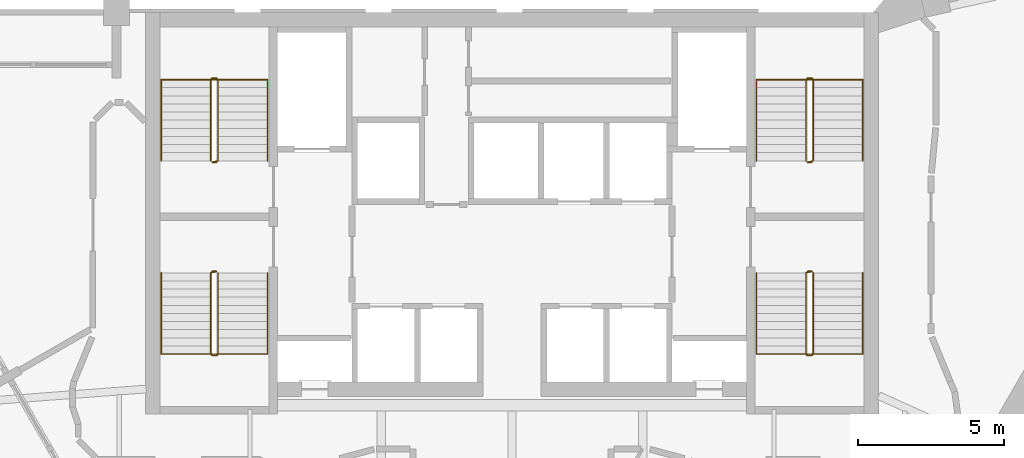
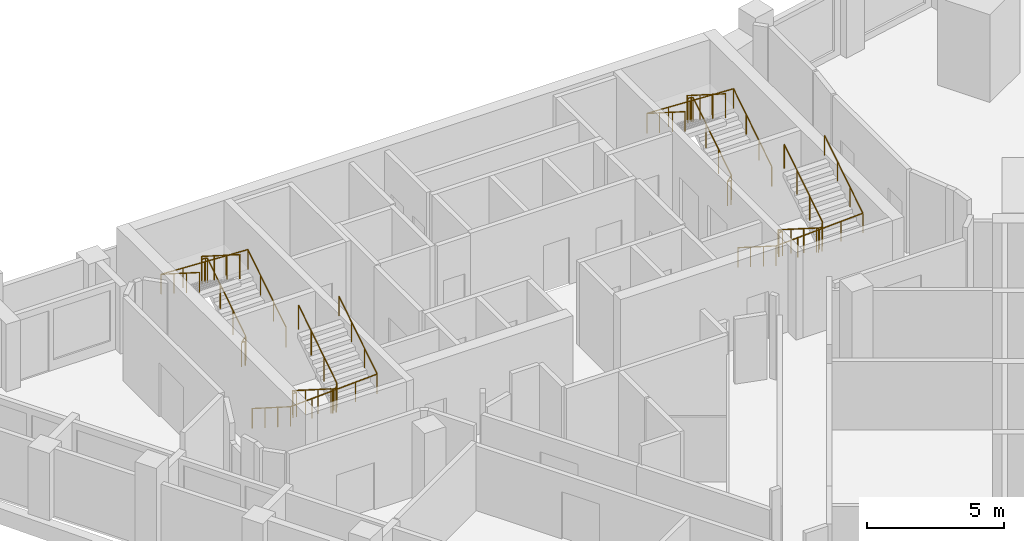
# One storey, part 8 of 8: 8 railings.
"""IFC4 building model written with IfcOpenShell, lengths in metres."""

from ifc_helpers import new_model, si_unit, direction, frame, origin, origin_2d, place, context, subcontext, project, spatial, circle, extrude, material, type_object, element, save


model = new_model("IFC4")

# Units and contexts
model_context = context("Model", 3, precision=1e-05, world=origin(), true_north=direction((0.0, 1.0)))
body_context = subcontext(model_context, "Body", "Model", "MODEL_VIEW")
ifc_project = project(units=[si_unit("LENGTHUNIT", "METRE"), si_unit("AREAUNIT", "SQUARE_METRE"), si_unit("VOLUMEUNIT", "CUBIC_METRE"), si_unit("PLANEANGLEUNIT", "RADIAN"), si_unit("MASSUNIT", "GRAM", prefix="KILO")], contexts=[model_context])

# Site, building, storey
site_placement = place(None, origin())
site = spatial("IfcSite", under=ifc_project, at=site_placement, CompositionType="ELEMENT")
building_placement = place(site_placement, origin())
building = spatial("IfcBuilding", under=site, at=building_placement, Name="Calabash Gate Tower", CompositionType="ELEMENT")
storey_placement = place(building_placement, frame((0.0, 0.0, 263.800048828125)))
storey = spatial("IfcBuildingStorey", under=building, at=storey_placement, Name="L63", CompositionType="ELEMENT", Elevation=263.800048828125)

# Railings
ifc_material_1 = material(Name="Black powder-coated steel balusters", Category="steel")
railing_type_1 = type_object("IfcRailingType", Name="Stair guard RL1100", PredefinedType="GUARDRAIL", material=ifc_material_1)
railing_1_placement = place(storey_placement, frame((-10.14990234375, 13.902587890625, 0.0)))
element("IfcRailing", 1, at=railing_1_placement, inside=storey, type_object=railing_type_1, Name="L63 ST1 stair guard 1", PredefinedType="GUARDRAIL", context=body_context, shape_type="SweptSolid", body=[
    extrude(circle(Radius=0.02392578125, at=origin_2d()), frame((0.0, 0.0, 1.076171875), z_axis=(-1.0, 0.0, 0.0), x_axis=(0.0, -1.0, 0.0)), (0.0, 0.0, 1.0), 0.150146484375),
    extrude(circle(Radius=0.02392578125, at=origin_2d()), frame((-0.150146484375, 0.0, 1.076171875), z_axis=(0.735524641326, 0.184105679453, 0.652003528208), x_axis=(-0.242814311512, 0.970072785993, 0.0)), (0.0, 0.0, 1.0), 0.271728515625),
    extrude(circle(Radius=0.02392578125, at=origin_2d()), frame((0.0498046875, 0.050048828125, 1.25341796875), z_axis=(0.0, 0.844041424197, 0.536277982245), x_axis=(-1.0, 0.0, 0.0)), (0.0, 0.0, 1.0), 3.3056640625),
    extrude(circle(Radius=0.02392578125, at=origin_2d()), frame((0.0498046875, 2.840087890625, 3.02587890625), z_axis=(-0.707106781187, 0.707106781187, 0.0), x_axis=(-0.707106781187, -0.707106781187, 0.0)), (0.0, 0.0, 1.0), 0.0703125),
    extrude(circle(Radius=0.02392578125, at=origin_2d()), frame((0.0, 2.889892578125, 3.02587890625), z_axis=(-1.0, 0.0, 0.0), x_axis=(0.0, -1.0, 0.0)), (0.0, 0.0, 1.0), 0.150146484375),
    extrude(circle(Radius=0.02392578125, at=origin_2d()), frame((-0.150146484375, 2.889892578125, 3.02587890625), z_axis=(-0.262321481514, -0.261041864531, 0.929001929653), x_axis=(0.705375805398, -0.708833529934, 0.0)), (0.0, 0.0, 1.0), 0.190673828125),
    extrude(circle(Radius=0.02392578125, at=origin_2d()), frame((-0.2001953125, 2.840087890625, 3.203125), z_axis=(0.0, -0.844041424197, 0.536277982245), x_axis=(1.0, 0.0, 0.0)), (0.0, 0.0, 1.0), 3.3056640625),
    extrude(circle(Radius=0.02099609375, at=origin_2d()), origin(), (0.0, 0.0, 1.0), 1.052001953125),
    extrude(circle(Radius=0.02099609375, at=origin_2d()), frame((-0.150146484375, 0.0, 0.0)), (0.0, 0.0, 1.0), 1.052001953125),
    extrude(circle(Radius=0.02099609375, at=origin_2d()), frame((0.0498046875, 0.050048828125, 0.17724609375)), (0.0, 0.0, 1.0), 1.052001953125),
    extrude(circle(Radius=0.02099609375, at=origin_2d()), frame((0.0498046875, 0.97998046875, 0.76806640625)), (0.0, 0.0, 1.0), 1.052001953125),
    extrude(circle(Radius=0.02099609375, at=origin_2d()), frame((0.0498046875, 1.91015625, 1.359130859375)), (0.0, 0.0, 1.0), 1.052001953125),
    extrude(circle(Radius=0.02099609375, at=origin_2d()), frame((0.0498046875, 2.840087890625, 1.949951171875)), (0.0, 0.0, 1.0), 1.052001953125),
    extrude(circle(Radius=0.02099609375, at=origin_2d()), frame((0.0, 2.889892578125, 1.949951171875)), (0.0, 0.0, 1.0), 1.052001953125),
    extrude(circle(Radius=0.02099609375, at=origin_2d()), frame((-0.150146484375, 2.889892578125, 1.949951171875)), (0.0, 0.0, 1.0), 1.052001953125),
    extrude(circle(Radius=0.02099609375, at=origin_2d()), frame((-0.2001953125, 2.840087890625, 2.127197265625)), (0.0, 0.0, 1.0), 1.052001953125),
    extrude(circle(Radius=0.02099609375, at=origin_2d()), frame((-0.2001953125, 1.91015625, 2.718017578125)), (0.0, 0.0, 1.0), 1.052001953125),
    extrude(circle(Radius=0.02099609375, at=origin_2d()), frame((-0.2001953125, 0.97998046875, 3.30908203125)), (0.0, 0.0, 1.0), 1.052001953125),
    extrude(circle(Radius=0.02099609375, at=origin_2d()), frame((-0.2001953125, 0.050048828125, 3.89990234375)), (0.0, 0.0, 1.0), 1.052001953125),
])
railing_2_placement = place(storey_placement, frame((-10.300048828125, 10.152587890625, 0.0)))
element("IfcRailing", 2, at=railing_2_placement, inside=storey, type_object=railing_type_1, Name="L63 ST2 stair guard 1", PredefinedType="GUARDRAIL", context=body_context, shape_type="SweptSolid", body=[
    extrude(circle(Radius=0.02392578125, at=origin_2d()), frame((0.0, 0.0, 1.076171875), z_axis=(1.0, 0.0, 0.0), x_axis=(0.0, 1.0, 0.0)), (0.0, 0.0, 1.0), 0.150146484375),
    extrude(circle(Radius=0.02392578125, at=origin_2d()), frame((0.150146484375, 0.0, 1.076171875), z_axis=(-0.735936453418, -0.183984113355, 0.651573006319), x_axis=(0.242535625036, -0.970142500145, 0.0)), (0.0, 0.0, 1.0), 0.27197265625),
    extrude(circle(Radius=0.02392578125, at=origin_2d()), frame((-0.050048828125, -0.050048828125, 1.25341796875), z_axis=(0.0, -0.844041424197, 0.536277982245), x_axis=(1.0, 0.0, 0.0)), (0.0, 0.0, 1.0), 3.3056640625),
    extrude(circle(Radius=0.02392578125, at=origin_2d()), frame((-0.050048828125, -2.840087890625, 3.02587890625), z_axis=(0.708833529934, -0.705375805398, 0.0), x_axis=(0.705375805398, 0.708833529934, 0.0)), (0.0, 0.0, 1.0), 0.070556640625),
    extrude(circle(Radius=0.02392578125, at=origin_2d()), frame((0.0, -2.889892578125, 3.02587890625), z_axis=(1.0, 0.0, 0.0), x_axis=(0.0, 1.0, 0.0)), (0.0, 0.0, 1.0), 0.150146484375),
    extrude(circle(Radius=0.02392578125, at=origin_2d()), frame((0.150146484375, -2.889892578125, 3.02587890625), z_axis=(0.261129318932, 0.261129318932, 0.929313164433), x_axis=(-0.707106781187, 0.707106781187, 0.0)), (0.0, 0.0, 1.0), 0.190673828125),
    extrude(circle(Radius=0.02392578125, at=origin_2d()), frame((0.199951171875, -2.840087890625, 3.203125), z_axis=(0.0, 0.844041424197, 0.536277982245), x_axis=(-1.0, 0.0, 0.0)), (0.0, 0.0, 1.0), 3.3056640625),
    extrude(circle(Radius=0.02099609375, at=origin_2d()), origin(), (0.0, 0.0, 1.0), 1.052001953125),
    extrude(circle(Radius=0.02099609375, at=origin_2d()), frame((0.150146484375, 0.0, 0.0)), (0.0, 0.0, 1.0), 1.052001953125),
    extrude(circle(Radius=0.02099609375, at=origin_2d()), frame((-0.050048828125, -0.050048828125, 0.17724609375)), (0.0, 0.0, 1.0), 1.052001953125),
    extrude(circle(Radius=0.02099609375, at=origin_2d()), frame((-0.050048828125, -0.97998046875, 0.76806640625)), (0.0, 0.0, 1.0), 1.052001953125),
    extrude(circle(Radius=0.02099609375, at=origin_2d()), frame((-0.050048828125, -1.91015625, 1.359130859375)), (0.0, 0.0, 1.0), 1.052001953125),
    extrude(circle(Radius=0.02099609375, at=origin_2d()), frame((-0.050048828125, -2.840087890625, 1.949951171875)), (0.0, 0.0, 1.0), 1.052001953125),
    extrude(circle(Radius=0.02099609375, at=origin_2d()), frame((0.0, -2.889892578125, 1.949951171875)), (0.0, 0.0, 1.0), 1.052001953125),
    extrude(circle(Radius=0.02099609375, at=origin_2d()), frame((0.150146484375, -2.889892578125, 1.949951171875)), (0.0, 0.0, 1.0), 1.052001953125),
    extrude(circle(Radius=0.02099609375, at=origin_2d()), frame((0.199951171875, -2.840087890625, 2.127197265625)), (0.0, 0.0, 1.0), 1.052001953125),
    extrude(circle(Radius=0.02099609375, at=origin_2d()), frame((0.199951171875, -1.91015625, 2.718017578125)), (0.0, 0.0, 1.0), 1.052001953125),
    extrude(circle(Radius=0.02099609375, at=origin_2d()), frame((0.199951171875, -0.97998046875, 3.30908203125)), (0.0, 0.0, 1.0), 1.052001953125),
    extrude(circle(Radius=0.02099609375, at=origin_2d()), frame((0.199951171875, -0.050048828125, 3.89990234375)), (0.0, 0.0, 1.0), 1.052001953125),
])
railing_3_placement = place(storey_placement, frame((10.300048828125, 13.902587890625, 0.0)))
element("IfcRailing", 3, at=railing_3_placement, inside=storey, type_object=railing_type_1, Name="L63 ST3 stair guard 1", PredefinedType="GUARDRAIL", context=body_context, shape_type="SweptSolid", body=[
    extrude(circle(Radius=0.02392578125, at=origin_2d()), frame((0.0, 0.0, 1.076171875), z_axis=(-1.0, 0.0, 0.0), x_axis=(0.0, -1.0, 0.0)), (0.0, 0.0, 1.0), 0.150146484375),
    extrude(circle(Radius=0.02392578125, at=origin_2d()), frame((-0.150146484375, 0.0, 1.076171875), z_axis=(0.735936453418, 0.183984113355, 0.651573006319), x_axis=(-0.242535625036, 0.970142500145, 0.0)), (0.0, 0.0, 1.0), 0.27197265625),
    extrude(circle(Radius=0.02392578125, at=origin_2d()), frame((0.050048828125, 0.050048828125, 1.25341796875), z_axis=(0.0, 0.844041424197, 0.536277982245), x_axis=(-1.0, 0.0, 0.0)), (0.0, 0.0, 1.0), 3.3056640625),
    extrude(circle(Radius=0.02392578125, at=origin_2d()), frame((0.050048828125, 2.840087890625, 3.02587890625), z_axis=(-0.708833529934, 0.705375805398, 0.0), x_axis=(-0.705375805398, -0.708833529934, 0.0)), (0.0, 0.0, 1.0), 0.070556640625),
    extrude(circle(Radius=0.02392578125, at=origin_2d()), frame((0.0, 2.889892578125, 3.02587890625), z_axis=(-1.0, 0.0, 0.0), x_axis=(0.0, -1.0, 0.0)), (0.0, 0.0, 1.0), 0.150146484375),
    extrude(circle(Radius=0.02392578125, at=origin_2d()), frame((-0.150146484375, 2.889892578125, 3.02587890625), z_axis=(-0.261129318932, -0.261129318932, 0.929313164433), x_axis=(0.707106781187, -0.707106781187, 0.0)), (0.0, 0.0, 1.0), 0.190673828125),
    extrude(circle(Radius=0.02392578125, at=origin_2d()), frame((-0.199951171875, 2.840087890625, 3.203125), z_axis=(0.0, -0.844041424197, 0.536277982245), x_axis=(1.0, 0.0, 0.0)), (0.0, 0.0, 1.0), 3.3056640625),
    extrude(circle(Radius=0.02099609375, at=origin_2d()), origin(), (0.0, 0.0, 1.0), 1.052001953125),
    extrude(circle(Radius=0.02099609375, at=origin_2d()), frame((-0.150146484375, 0.0, 0.0)), (0.0, 0.0, 1.0), 1.052001953125),
    extrude(circle(Radius=0.02099609375, at=origin_2d()), frame((0.050048828125, 0.050048828125, 0.17724609375)), (0.0, 0.0, 1.0), 1.052001953125),
    extrude(circle(Radius=0.02099609375, at=origin_2d()), frame((0.050048828125, 0.97998046875, 0.76806640625)), (0.0, 0.0, 1.0), 1.052001953125),
    extrude(circle(Radius=0.02099609375, at=origin_2d()), frame((0.050048828125, 1.91015625, 1.359130859375)), (0.0, 0.0, 1.0), 1.052001953125),
    extrude(circle(Radius=0.02099609375, at=origin_2d()), frame((0.050048828125, 2.840087890625, 1.949951171875)), (0.0, 0.0, 1.0), 1.052001953125),
    extrude(circle(Radius=0.02099609375, at=origin_2d()), frame((0.0, 2.889892578125, 1.949951171875)), (0.0, 0.0, 1.0), 1.052001953125),
    extrude(circle(Radius=0.02099609375, at=origin_2d()), frame((-0.150146484375, 2.889892578125, 1.949951171875)), (0.0, 0.0, 1.0), 1.052001953125),
    extrude(circle(Radius=0.02099609375, at=origin_2d()), frame((-0.199951171875, 2.840087890625, 2.127197265625)), (0.0, 0.0, 1.0), 1.052001953125),
    extrude(circle(Radius=0.02099609375, at=origin_2d()), frame((-0.199951171875, 1.91015625, 2.718017578125)), (0.0, 0.0, 1.0), 1.052001953125),
    extrude(circle(Radius=0.02099609375, at=origin_2d()), frame((-0.199951171875, 0.97998046875, 3.30908203125)), (0.0, 0.0, 1.0), 1.052001953125),
    extrude(circle(Radius=0.02099609375, at=origin_2d()), frame((-0.199951171875, 0.050048828125, 3.89990234375)), (0.0, 0.0, 1.0), 1.052001953125),
])
railing_4_placement = place(storey_placement, frame((10.14990234375, 10.152587890625, 0.0)))
element("IfcRailing", 4, at=railing_4_placement, inside=storey, type_object=railing_type_1, Name="L63 ST4 stair guard 1", PredefinedType="GUARDRAIL", context=body_context, shape_type="SweptSolid", body=[
    extrude(circle(Radius=0.02392578125, at=origin_2d()), frame((0.0, 0.0, 1.076171875), z_axis=(1.0, 0.0, 0.0), x_axis=(0.0, 1.0, 0.0)), (0.0, 0.0, 1.0), 0.150146484375),
    extrude(circle(Radius=0.02392578125, at=origin_2d()), frame((0.150146484375, 0.0, 1.076171875), z_axis=(-0.735524641326, -0.184105679453, 0.652003528208), x_axis=(0.242814311512, -0.970072785993, 0.0)), (0.0, 0.0, 1.0), 0.271728515625),
    extrude(circle(Radius=0.02392578125, at=origin_2d()), frame((-0.0498046875, -0.050048828125, 1.25341796875), z_axis=(0.0, -0.844041424197, 0.536277982245), x_axis=(1.0, 0.0, 0.0)), (0.0, 0.0, 1.0), 3.3056640625),
    extrude(circle(Radius=0.02392578125, at=origin_2d()), frame((-0.0498046875, -2.840087890625, 3.02587890625), z_axis=(0.707106781187, -0.707106781187, 0.0), x_axis=(0.707106781187, 0.707106781187, 0.0)), (0.0, 0.0, 1.0), 0.0703125),
    extrude(circle(Radius=0.02392578125, at=origin_2d()), frame((0.0, -2.889892578125, 3.02587890625), z_axis=(1.0, 0.0, 0.0), x_axis=(0.0, 1.0, 0.0)), (0.0, 0.0, 1.0), 0.150146484375),
    extrude(circle(Radius=0.02392578125, at=origin_2d()), frame((0.150146484375, -2.889892578125, 3.02587890625), z_axis=(0.262321481514, 0.261041864531, 0.929001929653), x_axis=(-0.705375805398, 0.708833529934, 0.0)), (0.0, 0.0, 1.0), 0.190673828125),
    extrude(circle(Radius=0.02392578125, at=origin_2d()), frame((0.2001953125, -2.840087890625, 3.203125), z_axis=(0.0, 0.844041424197, 0.536277982245), x_axis=(-1.0, 0.0, 0.0)), (0.0, 0.0, 1.0), 3.3056640625),
    extrude(circle(Radius=0.02099609375, at=origin_2d()), origin(), (0.0, 0.0, 1.0), 1.052001953125),
    extrude(circle(Radius=0.02099609375, at=origin_2d()), frame((0.150146484375, 0.0, 0.0)), (0.0, 0.0, 1.0), 1.052001953125),
    extrude(circle(Radius=0.02099609375, at=origin_2d()), frame((-0.0498046875, -0.050048828125, 0.17724609375)), (0.0, 0.0, 1.0), 1.052001953125),
    extrude(circle(Radius=0.02099609375, at=origin_2d()), frame((-0.0498046875, -0.97998046875, 0.76806640625)), (0.0, 0.0, 1.0), 1.052001953125),
    extrude(circle(Radius=0.02099609375, at=origin_2d()), frame((-0.0498046875, -1.91015625, 1.359130859375)), (0.0, 0.0, 1.0), 1.052001953125),
    extrude(circle(Radius=0.02099609375, at=origin_2d()), frame((-0.0498046875, -2.840087890625, 1.949951171875)), (0.0, 0.0, 1.0), 1.052001953125),
    extrude(circle(Radius=0.02099609375, at=origin_2d()), frame((0.0, -2.889892578125, 1.949951171875)), (0.0, 0.0, 1.0), 1.052001953125),
    extrude(circle(Radius=0.02099609375, at=origin_2d()), frame((0.150146484375, -2.889892578125, 1.949951171875)), (0.0, 0.0, 1.0), 1.052001953125),
    extrude(circle(Radius=0.02099609375, at=origin_2d()), frame((0.2001953125, -2.840087890625, 2.127197265625)), (0.0, 0.0, 1.0), 1.052001953125),
    extrude(circle(Radius=0.02099609375, at=origin_2d()), frame((0.2001953125, -1.91015625, 2.718017578125)), (0.0, 0.0, 1.0), 1.052001953125),
    extrude(circle(Radius=0.02099609375, at=origin_2d()), frame((0.2001953125, -0.97998046875, 3.30908203125)), (0.0, 0.0, 1.0), 1.052001953125),
    extrude(circle(Radius=0.02099609375, at=origin_2d()), frame((0.2001953125, -0.050048828125, 3.89990234375)), (0.0, 0.0, 1.0), 1.052001953125),
])
ifc_material_2 = material(Name="Black powder-coated steel tube 48 mm", Category="steel")
railing_type_2 = type_object("IfcRailingType", Name="Stair handrail RL900", PredefinedType="HANDRAIL", material=ifc_material_2)
railing_5_placement = place(storey_placement, frame((-8.39990234375, 13.95263671875, 0.17724609375)))
element("IfcRailing", 5, at=railing_5_placement, inside=storey, type_object=railing_type_2, Name="L63 ST1 stair handrail 1", PredefinedType="HANDRAIL", context=body_context, shape_type="SweptSolid", body=[
    extrude(circle(Radius=0.02392578125, at=origin_2d()), frame((0.0, 0.0, 0.8759765625), z_axis=(0.0, 0.844041424197, 0.536277982245), x_axis=(-1.0, 0.0, 0.0)), (0.0, 0.0, 1.0), 3.3056640625),
    extrude(circle(Radius=0.02392578125, at=origin_2d()), frame((0.0, 2.7900390625, 2.6484375), z_axis=(-0.998823110844, 0.0, 0.048501476722), x_axis=(0.0, -1.0, 0.0)), (0.0, 0.0, 1.0), 3.654541015625),
    extrude(circle(Radius=0.02392578125, at=origin_2d()), frame((-3.650146484375, 2.7900390625, 2.82568359375), z_axis=(0.0, -0.844041424197, 0.536277982245), x_axis=(1.0, 0.0, 0.0)), (0.0, 0.0, 1.0), 3.3056640625),
    extrude(circle(Radius=0.02099609375, at=origin_2d()), origin(), (0.0, 0.0, 1.0), 0.851806640625),
    extrude(circle(Radius=0.02099609375, at=origin_2d()), frame((0.0, 0.929931640625, 0.5908203125)), (0.0, 0.0, 1.0), 0.851806640625),
    extrude(circle(Radius=0.02099609375, at=origin_2d()), frame((0.0, 1.860107421875, 1.181884765625)), (0.0, 0.0, 1.0), 0.851806640625),
    extrude(circle(Radius=0.02099609375, at=origin_2d()), frame((0.0, 2.7900390625, 1.772705078125)), (0.0, 0.0, 1.0), 0.851806640625),
    extrude(circle(Radius=0.02099609375, at=origin_2d()), frame((-0.91259765625, 2.7900390625, 1.81689453125)), (0.0, 0.0, 1.0), 0.851806640625),
    extrude(circle(Radius=0.02099609375, at=origin_2d()), frame((-1.8251953125, 2.7900390625, 1.861328125)), (0.0, 0.0, 1.0), 0.851806640625),
    extrude(circle(Radius=0.02099609375, at=origin_2d()), frame((-2.737548828125, 2.7900390625, 1.90576171875)), (0.0, 0.0, 1.0), 0.851806640625),
    extrude(circle(Radius=0.02099609375, at=origin_2d()), frame((-3.650146484375, 2.7900390625, 1.949951171875)), (0.0, 0.0, 1.0), 0.851806640625),
    extrude(circle(Radius=0.02099609375, at=origin_2d()), frame((-3.650146484375, 1.860107421875, 2.540771484375)), (0.0, 0.0, 1.0), 0.851806640625),
    extrude(circle(Radius=0.02099609375, at=origin_2d()), frame((-3.650146484375, 0.929931640625, 3.1318359375)), (0.0, 0.0, 1.0), 0.851806640625),
    extrude(circle(Radius=0.02099609375, at=origin_2d()), frame((-3.650146484375, 0.0, 3.72265625)), (0.0, 0.0, 1.0), 0.851806640625),
])
railing_6_placement = place(storey_placement, frame((-12.050048828125, 10.1025390625, 0.17724609375)))
element("IfcRailing", 6, at=railing_6_placement, inside=storey, type_object=railing_type_2, Name="L63 ST2 stair handrail 1", PredefinedType="HANDRAIL", context=body_context, shape_type="SweptSolid", body=[
    extrude(circle(Radius=0.02392578125, at=origin_2d()), frame((0.0, 0.0, 0.8759765625), z_axis=(0.0, -0.844041424197, 0.536277982245), x_axis=(1.0, 0.0, 0.0)), (0.0, 0.0, 1.0), 3.3056640625),
    extrude(circle(Radius=0.02392578125, at=origin_2d()), frame((0.0, -2.7900390625, 2.6484375), z_axis=(0.998823110844, 0.0, 0.048501476722), x_axis=(0.0, 1.0, 0.0)), (0.0, 0.0, 1.0), 3.654541015625),
    extrude(circle(Radius=0.02392578125, at=origin_2d()), frame((3.650146484375, -2.7900390625, 2.82568359375), z_axis=(0.0, 0.844041424197, 0.536277982245), x_axis=(-1.0, 0.0, 0.0)), (0.0, 0.0, 1.0), 3.3056640625),
    extrude(circle(Radius=0.02099609375, at=origin_2d()), origin(), (0.0, 0.0, 1.0), 0.851806640625),
    extrude(circle(Radius=0.02099609375, at=origin_2d()), frame((0.0, -0.929931640625, 0.5908203125)), (0.0, 0.0, 1.0), 0.851806640625),
    extrude(circle(Radius=0.02099609375, at=origin_2d()), frame((0.0, -1.860107421875, 1.181884765625)), (0.0, 0.0, 1.0), 0.851806640625),
    extrude(circle(Radius=0.02099609375, at=origin_2d()), frame((0.0, -2.7900390625, 1.772705078125)), (0.0, 0.0, 1.0), 0.851806640625),
    extrude(circle(Radius=0.02099609375, at=origin_2d()), frame((0.91259765625, -2.7900390625, 1.81689453125)), (0.0, 0.0, 1.0), 0.851806640625),
    extrude(circle(Radius=0.02099609375, at=origin_2d()), frame((1.8251953125, -2.7900390625, 1.861328125)), (0.0, 0.0, 1.0), 0.851806640625),
    extrude(circle(Radius=0.02099609375, at=origin_2d()), frame((2.737548828125, -2.7900390625, 1.90576171875)), (0.0, 0.0, 1.0), 0.851806640625),
    extrude(circle(Radius=0.02099609375, at=origin_2d()), frame((3.650146484375, -2.7900390625, 1.949951171875)), (0.0, 0.0, 1.0), 0.851806640625),
    extrude(circle(Radius=0.02099609375, at=origin_2d()), frame((3.650146484375, -1.860107421875, 2.540771484375)), (0.0, 0.0, 1.0), 0.851806640625),
    extrude(circle(Radius=0.02099609375, at=origin_2d()), frame((3.650146484375, -0.929931640625, 3.1318359375)), (0.0, 0.0, 1.0), 0.851806640625),
    extrude(circle(Radius=0.02099609375, at=origin_2d()), frame((3.650146484375, 0.0, 3.72265625)), (0.0, 0.0, 1.0), 0.851806640625),
])
railing_7_placement = place(storey_placement, frame((12.050048828125, 13.95263671875, 0.17724609375)))
element("IfcRailing", 7, at=railing_7_placement, inside=storey, type_object=railing_type_2, Name="L63 ST3 stair handrail 1", PredefinedType="HANDRAIL", context=body_context, shape_type="SweptSolid", body=[
    extrude(circle(Radius=0.02392578125, at=origin_2d()), frame((0.0, 0.0, 0.8759765625), z_axis=(0.0, 0.844041424197, 0.536277982245), x_axis=(-1.0, 0.0, 0.0)), (0.0, 0.0, 1.0), 3.3056640625),
    extrude(circle(Radius=0.02392578125, at=origin_2d()), frame((0.0, 2.7900390625, 2.6484375), z_axis=(-0.998823110844, 0.0, 0.048501476722), x_axis=(0.0, -1.0, 0.0)), (0.0, 0.0, 1.0), 3.654541015625),
    extrude(circle(Radius=0.02392578125, at=origin_2d()), frame((-3.650146484375, 2.7900390625, 2.82568359375), z_axis=(0.0, -0.844041424197, 0.536277982245), x_axis=(1.0, 0.0, 0.0)), (0.0, 0.0, 1.0), 3.3056640625),
    extrude(circle(Radius=0.02099609375, at=origin_2d()), origin(), (0.0, 0.0, 1.0), 0.851806640625),
    extrude(circle(Radius=0.02099609375, at=origin_2d()), frame((0.0, 0.929931640625, 0.5908203125)), (0.0, 0.0, 1.0), 0.851806640625),
    extrude(circle(Radius=0.02099609375, at=origin_2d()), frame((0.0, 1.860107421875, 1.181884765625)), (0.0, 0.0, 1.0), 0.851806640625),
    extrude(circle(Radius=0.02099609375, at=origin_2d()), frame((0.0, 2.7900390625, 1.772705078125)), (0.0, 0.0, 1.0), 0.851806640625),
    extrude(circle(Radius=0.02099609375, at=origin_2d()), frame((-0.91259765625, 2.7900390625, 1.81689453125)), (0.0, 0.0, 1.0), 0.851806640625),
    extrude(circle(Radius=0.02099609375, at=origin_2d()), frame((-1.8251953125, 2.7900390625, 1.861328125)), (0.0, 0.0, 1.0), 0.851806640625),
    extrude(circle(Radius=0.02099609375, at=origin_2d()), frame((-2.737548828125, 2.7900390625, 1.90576171875)), (0.0, 0.0, 1.0), 0.851806640625),
    extrude(circle(Radius=0.02099609375, at=origin_2d()), frame((-3.650146484375, 2.7900390625, 1.949951171875)), (0.0, 0.0, 1.0), 0.851806640625),
    extrude(circle(Radius=0.02099609375, at=origin_2d()), frame((-3.650146484375, 1.860107421875, 2.540771484375)), (0.0, 0.0, 1.0), 0.851806640625),
    extrude(circle(Radius=0.02099609375, at=origin_2d()), frame((-3.650146484375, 0.929931640625, 3.1318359375)), (0.0, 0.0, 1.0), 0.851806640625),
    extrude(circle(Radius=0.02099609375, at=origin_2d()), frame((-3.650146484375, 0.0, 3.72265625)), (0.0, 0.0, 1.0), 0.851806640625),
])
railing_8_placement = place(storey_placement, frame((8.39990234375, 10.1025390625, 0.17724609375)))
element("IfcRailing", 8, at=railing_8_placement, inside=storey, type_object=railing_type_2, Name="L63 ST4 stair handrail 1", PredefinedType="HANDRAIL", context=body_context, shape_type="SweptSolid", body=[
    extrude(circle(Radius=0.02392578125, at=origin_2d()), frame((0.0, 0.0, 0.8759765625), z_axis=(0.0, -0.844041424197, 0.536277982245), x_axis=(1.0, 0.0, 0.0)), (0.0, 0.0, 1.0), 3.3056640625),
    extrude(circle(Radius=0.02392578125, at=origin_2d()), frame((0.0, -2.7900390625, 2.6484375), z_axis=(0.998823110844, 0.0, 0.048501476722), x_axis=(0.0, 1.0, 0.0)), (0.0, 0.0, 1.0), 3.654541015625),
    extrude(circle(Radius=0.02392578125, at=origin_2d()), frame((3.650146484375, -2.7900390625, 2.82568359375), z_axis=(0.0, 0.844041424197, 0.536277982245), x_axis=(-1.0, 0.0, 0.0)), (0.0, 0.0, 1.0), 3.3056640625),
    extrude(circle(Radius=0.02099609375, at=origin_2d()), origin(), (0.0, 0.0, 1.0), 0.851806640625),
    extrude(circle(Radius=0.02099609375, at=origin_2d()), frame((0.0, -0.929931640625, 0.5908203125)), (0.0, 0.0, 1.0), 0.851806640625),
    extrude(circle(Radius=0.02099609375, at=origin_2d()), frame((0.0, -1.860107421875, 1.181884765625)), (0.0, 0.0, 1.0), 0.851806640625),
    extrude(circle(Radius=0.02099609375, at=origin_2d()), frame((0.0, -2.7900390625, 1.772705078125)), (0.0, 0.0, 1.0), 0.851806640625),
    extrude(circle(Radius=0.02099609375, at=origin_2d()), frame((0.91259765625, -2.7900390625, 1.81689453125)), (0.0, 0.0, 1.0), 0.851806640625),
    extrude(circle(Radius=0.02099609375, at=origin_2d()), frame((1.8251953125, -2.7900390625, 1.861328125)), (0.0, 0.0, 1.0), 0.851806640625),
    extrude(circle(Radius=0.02099609375, at=origin_2d()), frame((2.737548828125, -2.7900390625, 1.90576171875)), (0.0, 0.0, 1.0), 0.851806640625),
    extrude(circle(Radius=0.02099609375, at=origin_2d()), frame((3.650146484375, -2.7900390625, 1.949951171875)), (0.0, 0.0, 1.0), 0.851806640625),
    extrude(circle(Radius=0.02099609375, at=origin_2d()), frame((3.650146484375, -1.860107421875, 2.540771484375)), (0.0, 0.0, 1.0), 0.851806640625),
    extrude(circle(Radius=0.02099609375, at=origin_2d()), frame((3.650146484375, -0.929931640625, 3.1318359375)), (0.0, 0.0, 1.0), 0.851806640625),
    extrude(circle(Radius=0.02099609375, at=origin_2d()), frame((3.650146484375, 0.0, 3.72265625)), (0.0, 0.0, 1.0), 0.851806640625),
])

save(model, "model.ifc")
